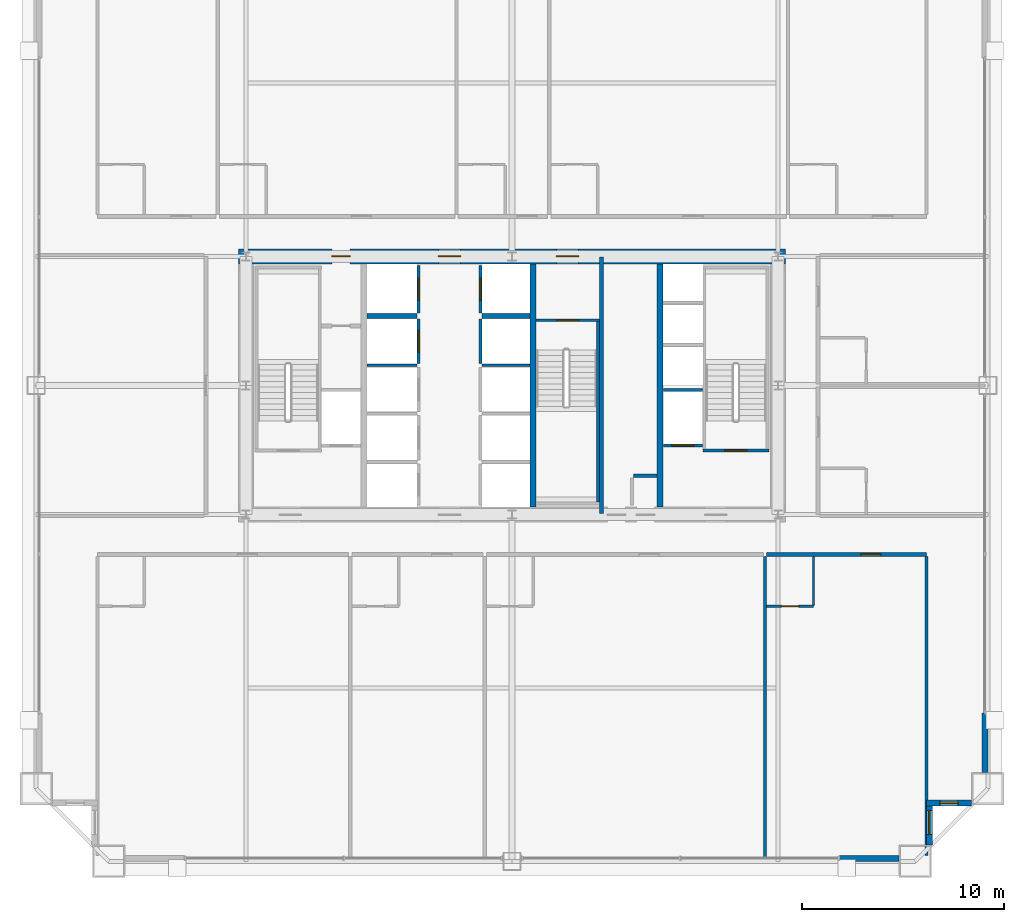
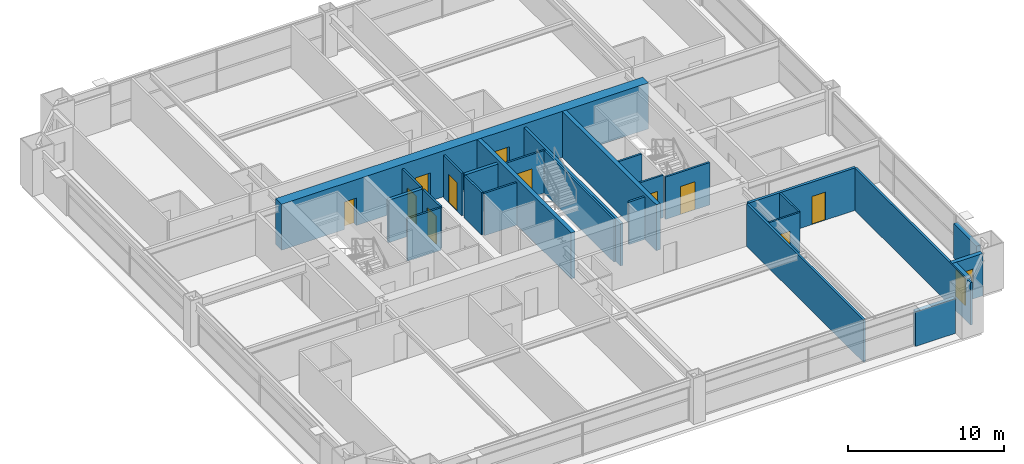
# One storey, part 35 of 38: 27 walls, 11 doors, 2 windows, 13 openings.
"""IFC4 building model written with IfcOpenShell, lengths in metres."""

from ifc_helpers import new_model, si_unit, direction, frame, frame_2d, origin, place, context, subcontext, project, spatial, rectangle, extrude, source, transform, mapped, material, layer, layer_set, type_object, element, fill, save


model = new_model("IFC4")

# Units and contexts
model_context = context("Model", 3, precision=1e-05, world=origin(), true_north=direction((0.0, 1.0)))
body_context = subcontext(model_context, "Body", "Model", "MODEL_VIEW")
ifc_project = project(units=[si_unit("LENGTHUNIT", "METRE"), si_unit("AREAUNIT", "SQUARE_METRE"), si_unit("VOLUMEUNIT", "CUBIC_METRE"), si_unit("PLANEANGLEUNIT", "RADIAN"), si_unit("MASSUNIT", "GRAM", prefix="KILO"), si_unit("THERMODYNAMICTEMPERATUREUNIT", "KELVIN"), si_unit("POWERUNIT", "WATT")], contexts=[model_context])

# Site, building, storey
site_placement = place(None, origin())
site = spatial("IfcSite", under=ifc_project, at=site_placement, CompositionType="ELEMENT")
building_placement = place(site_placement, origin())
building = spatial("IfcBuilding", under=site, at=building_placement, Name="Yuzanri Waterfront Tower", CompositionType="ELEMENT")
storey_placement = place(building_placement, frame((0.0, 0.0, 126.199951171875)))
storey = spatial("IfcBuildingStorey", under=building, at=storey_placement, Name="L33", CompositionType="ELEMENT", Elevation=126.199951171875)

# Wall, opening, door
ifc_material_1 = material(Name="Moisture-Resistant Gypsum Stud Wall", Category="gypsum")
ifc_layer_1 = layer(ifc_material_1, 0.1201171875)
ifc_layer_set_1 = layer_set([ifc_layer_1], Name="Moisture-Resistant Gypsum Stud Wall")
wall_type_1 = type_object("IfcWallType", Name="Bathroom and Kitchen Wet Partition 120", PredefinedType="PARTITIONING", material=ifc_layer_set_1)
wall_1_placement = place(storey_placement, frame((49.6220703125, 14.840087890625, 0.0), z_axis=(0.0, 0.0, 1.0), x_axis=(1.0, 0.0, 0.0)))
wall_1 = element("IfcWall", 1, at=wall_1_placement, inside=storey, type_object=wall_type_1, Name="L33 Partition UW-L33-S4-BS", PredefinedType="PARTITIONING", context=body_context, shape_type="SweptSolid", body=[
    extrude(rectangle(XDim=2.329833984375, YDim=0.1201171875, at=frame_2d((1.1650390625, 0.0))), origin(), (0.0, 0.0, 1.0), 3.320068359375),
])
opening_1_placement = place(wall_1_placement, frame((0.739990234375, 0.0, 0.0)))
opening_1 = element("IfcOpeningElement", 2, at=opening_1_placement, cuts=wall_1, Name="Opening ID-0850", PredefinedType="OPENING", context=body_context, shape_type="SweptSolid", body=[
    extrude(rectangle(XDim=0.85009765625, YDim=2.10009765625, at=frame_2d((0.425048828125, 1.050048828125))), frame((0.0, 0.074951171875, 0.0), z_axis=(0.0, -1.0, 0.0), x_axis=(1.0, 0.0, 0.0)), (0.0, 0.0, 1.0), 0.14990234375),
])
ifc_material_2 = material(Name="Moisture-Resistant Lacquered Timber", Category="wood")
door_type_1 = type_object("IfcDoorType", Name="En-Suite Bathroom and Kitchen Swing Door 850x2100", OperationType="NOTDEFINED", PredefinedType="DOOR", material=ifc_material_2)
shared_shape_1 = source(origin(), body_context, "Body", "SweptSolid", [
    extrude(rectangle(XDim=0.85009765625, YDim=2.10009765625, at=frame_2d((0.425048828125, 1.050048828125))), frame((0.0, 0.02490234375, 0.0), z_axis=(0.0, -1.0, 0.0), x_axis=(1.0, 0.0, 0.0)), (0.0, 0.0, 1.0), 0.050048828125),
])
door_1_placement = place(opening_1_placement, origin())
door_1 = element("IfcDoor", 3, at=door_1_placement, inside=storey, type_object=door_type_1, Name="L33 Guest En-Suite Door", OperationType="SINGLE_SWING_LEFT", OverallHeight=2.10009765625, OverallWidth=0.85009765625, PredefinedType="DOOR", context=body_context, shape_type="MappedRepresentation", body=[
    mapped(shared_shape_1, transform((0.0, 0.0, 0.0), scale=1.0)),
])
fill(opening_1, door_1)

# Wall, opening, window
ifc_material_3 = material(Name="Honed Chongqing Dark Basalt Stone", Category="masonry")
ifc_layer_2 = layer(ifc_material_3, 0.300048828125)
ifc_layer_set_2 = layer_set([ifc_layer_2], Name="Honed Chongqing Dark Basalt Stone")
wall_type_2 = type_object("IfcWallType", Name="Bronze Rainscreen Insulated Spandrel Portal Wall 300", PredefinedType="SOLIDWALL", material=ifc_layer_set_2)
wall_2_placement = place(storey_placement, frame((57.550048828125, 5.10009765625, 0.0), z_axis=(0.0, 0.0, 1.0), x_axis=(1.0, 0.0, 0.0)))
wall_2 = element("IfcWall", 4, at=wall_2_placement, inside=storey, type_object=wall_type_2, Name="L33 Notched Corner Masonry Wall SE-X", PredefinedType="SOLIDWALL", context=body_context, shape_type="SweptSolid", body=[
    extrude(rectangle(XDim=2.25, YDim=0.300048828125, at=frame_2d((1.125, 0.0))), origin(), (0.0, 0.0, 1.0), 3.320068359375),
])
opening_2_placement = place(wall_2_placement, frame((0.675048828125, 0.0, 0.85009765625)))
opening_2 = element("IfcOpeningElement", 5, at=opening_2_placement, cuts=wall_2, Name="Opening WN-05", PredefinedType="OPENING", context=body_context, shape_type="SweptSolid", body=[
    extrude(rectangle(XDim=0.89990234375, YDim=1.5, at=frame_2d((0.449951171875, 0.75))), frame((0.0, 0.1650390625, 0.0), z_axis=(0.0, -1.0, 0.0), x_axis=(1.0, 0.0, 0.0)), (0.0, 0.0, 1.0), 0.329833984375),
])
ifc_material_4 = material(Name="Double-Silver Low-E Insulated Glass", Category="glass")
window_type_1 = type_object("IfcWindowType", Name="Anodized Bronze Service and Stairwell Smoke-Vent Window 900x1500", PartitioningType="SINGLE_PANEL", PredefinedType="WINDOW", material=ifc_material_4)
shared_shape_2 = source(origin(), body_context, "Body", "SweptSolid", [
    extrude(rectangle(XDim=0.89990234375, YDim=1.5, at=frame_2d((0.449951171875, 0.75))), frame((0.0, 0.030029296875, 0.0), z_axis=(0.0, -1.0, 0.0), x_axis=(1.0, 0.0, 0.0)), (0.0, 0.0, 1.0), 0.06005859375),
])
window_1_placement = place(opening_2_placement, origin())
window_1 = element("IfcWindow", 6, at=window_1_placement, inside=storey, type_object=window_type_1, Name="L33 Notched Corner Window SE-X", OverallHeight=1.5, OverallWidth=0.89990234375, PartitioningType="SINGLE_PANEL", PredefinedType="WINDOW", context=body_context, shape_type="MappedRepresentation", body=[
    mapped(shared_shape_2, transform((0.0, 0.0, 0.0), scale=1.0)),
])
fill(opening_2, window_1)

wall_3_placement = place(storey_placement, frame((57.699951171875, 3.0, 0.0), z_axis=(0.0, 0.0, 1.0), x_axis=(0.0, 1.0, 0.0)))
wall_3 = element("IfcWall", 7, at=wall_3_placement, inside=storey, type_object=wall_type_2, Name="L33 Notched Corner Masonry Wall SE-Y", PredefinedType="SOLIDWALL", context=body_context, shape_type="SweptSolid", body=[
    extrude(rectangle(XDim=2.25, YDim=0.300048828125, at=frame_2d((1.125, 0.0))), origin(), (0.0, 0.0, 1.0), 3.320068359375),
])
opening_3_placement = place(wall_3_placement, frame((0.52490234375, 0.0, 0.85009765625)))
opening_3 = element("IfcOpeningElement", 8, at=opening_3_placement, cuts=wall_3, Name="Opening WN-02", PredefinedType="OPENING", context=body_context, shape_type="SweptSolid", body=[
    extrude(rectangle(XDim=1.199951171875, YDim=2.10009765625, at=frame_2d((0.60009765625, 1.050048828125))), frame((0.0, 0.1650390625, 0.0), z_axis=(0.0, -1.0, 0.0), x_axis=(1.0, 0.0, 0.0)), (0.0, 0.0, 1.0), 0.329833984375),
])
ifc_material_5 = material(Name="Double-Silver Low-E Insulated Glass", Category="glass")
window_type_2 = type_object("IfcWindowType", Name="Anodized Bronze Notched Corner Deep-Set Slot Window 1200x2100", PartitioningType="SINGLE_PANEL", PredefinedType="WINDOW", material=ifc_material_5)
shared_shape_3 = source(origin(), body_context, "Body", "SweptSolid", [
    extrude(rectangle(XDim=1.199951171875, YDim=2.10009765625, at=frame_2d((0.60009765625, 1.050048828125))), frame((0.0, 0.030029296875, 0.0), z_axis=(0.0, -1.0, 0.0), x_axis=(1.0, 0.0, 0.0)), (0.0, 0.0, 1.0), 0.06005859375),
])
window_2_placement = place(opening_3_placement, origin())
window_2 = element("IfcWindow", 9, at=window_2_placement, inside=storey, type_object=window_type_2, Name="L33 Notched Corner Window SE-Y", OverallHeight=2.10009765625, OverallWidth=1.199951171875, PartitioningType="SINGLE_PANEL", PredefinedType="WINDOW", context=body_context, shape_type="MappedRepresentation", body=[
    mapped(shared_shape_3, transform((0.0, 0.0, 0.0), scale=1.0)),
])
fill(opening_3, window_2)

# Wall, openings, doors
ifc_material_6 = material(Name="Concrete C55", Category="concrete")
ifc_layer_3 = layer(ifc_material_6, 0.75)
ifc_layer_set_3 = layer_set([ifc_layer_3], Name="Concrete C55")
wall_type_3 = type_object("IfcWallType", Name="Concrete C55 Low-Mid Zone Core Shear Wall 750", PredefinedType="SHEAR", material=ifc_layer_set_3)
wall_4_placement = place(storey_placement, frame((23.425048828125, 32.199951171875, 0.0), z_axis=(0.0, 0.0, 1.0), x_axis=(1.0, 0.0, 0.0)))
wall_4 = element("IfcWall", 10, at=wall_4_placement, inside=storey, type_object=wall_type_3, Name="L33 Core North Shear Wall", PredefinedType="SHEAR", context=body_context, shape_type="SweptSolid", body=[
    extrude(rectangle(XDim=27.14990234375, YDim=0.75, at=frame_2d((13.574951171875, 0.0))), origin(), (0.0, 0.0, 1.0), 3.60009765625),
])
opening_4_placement = place(wall_4_placement, frame((4.64501953125, 0.0, 0.0)))
opening_4 = element("IfcOpeningElement", 11, at=opening_4_placement, cuts=wall_4, Name="Opening FD-0900", PredefinedType="OPENING", context=body_context, shape_type="SweptSolid", body=[
    extrude(rectangle(XDim=0.89990234375, YDim=2.14990234375, at=frame_2d((0.449951171875, 1.074951171875))), frame((0.0, 0.389892578125, 0.0), z_axis=(0.0, -1.0, 0.0), x_axis=(1.0, 0.0, 0.0)), (0.0, 0.0, 1.0), 0.77978515625),
])
opening_5_placement = place(wall_4_placement, frame((9.925048828125, 0.0, 0.0)))
opening_5 = element("IfcOpeningElement", 12, at=opening_5_placement, cuts=wall_4, Name="Opening FD-1100", PredefinedType="OPENING", context=body_context, shape_type="SweptSolid", body=[
    extrude(rectangle(XDim=1.10009765625, YDim=2.199951171875, at=frame_2d((0.550048828125, 1.10009765625))), frame((0.0, 0.389892578125, 0.0), z_axis=(0.0, -1.0, 0.0), x_axis=(1.0, 0.0, 0.0)), (0.0, 0.0, 1.0), 0.77978515625),
])
opening_6_placement = place(wall_4_placement, frame((15.77490234375, 0.0, 0.0)))
opening_6 = element("IfcOpeningElement", 13, at=opening_6_placement, cuts=wall_4, Name="Opening FD-1100", PredefinedType="OPENING", context=body_context, shape_type="SweptSolid", body=[
    extrude(rectangle(XDim=1.10009765625, YDim=2.199951171875, at=frame_2d((0.550048828125, 1.10009765625))), frame((0.0, 0.389892578125, 0.0), z_axis=(0.0, -1.0, 0.0), x_axis=(1.0, 0.0, 0.0)), (0.0, 0.0, 1.0), 0.77978515625),
])
ifc_material_7 = material(Name="Painted Galvanized Fire Steel", Category="steel")
door_type_2 = type_object("IfcDoorType", Name="Smoke-Proof Stair and Lobby Fire Door 1100x2200", OperationType="NOTDEFINED", PredefinedType="DOOR", material=ifc_material_7)
shared_shape_4 = source(origin(), body_context, "Body", "SweptSolid", [
    extrude(rectangle(XDim=1.10009765625, YDim=2.199951171875, at=frame_2d((0.550048828125, 1.10009765625))), frame((0.0, 0.02490234375, 0.0), z_axis=(0.0, -1.0, 0.0), x_axis=(1.0, 0.0, 0.0)), (0.0, 0.0, 1.0), 0.050048828125),
])
door_2_placement = place(opening_5_placement, origin())
door_2 = element("IfcDoor", 14, at=door_2_placement, inside=storey, type_object=door_type_2, Name="L33 Central Lift Lobby North Door", OperationType="SINGLE_SWING_LEFT", OverallHeight=2.199951171875, OverallWidth=1.10009765625, PredefinedType="DOOR", context=body_context, shape_type="MappedRepresentation", body=[
    mapped(shared_shape_4, transform((0.0, 0.0, 0.0), scale=1.0)),
])
fill(opening_5, door_2)
door_3_placement = place(opening_6_placement, origin())
door_3 = element("IfcDoor", 15, at=door_3_placement, inside=storey, type_object=door_type_2, Name="L33 North Stair Lobby Door", OperationType="SINGLE_SWING_RIGHT", OverallHeight=2.199951171875, OverallWidth=1.10009765625, PredefinedType="DOOR", context=body_context, shape_type="MappedRepresentation", body=[
    mapped(shared_shape_4, transform((0.0, 0.0, 0.0), scale=1.0)),
])
fill(opening_6, door_3)
ifc_material_8 = material(Name="Painted Galvanized Fire Steel", Category="steel")
door_type_3 = type_object("IfcDoorType", Name="Riser and Service Room Fire Door 900x2150", OperationType="NOTDEFINED", PredefinedType="DOOR", material=ifc_material_8)
shared_shape_5 = source(origin(), body_context, "Body", "SweptSolid", [
    extrude(rectangle(XDim=0.89990234375, YDim=2.14990234375, at=frame_2d((0.449951171875, 1.074951171875))), frame((0.0, 0.02490234375, 0.0), z_axis=(0.0, -1.0, 0.0), x_axis=(1.0, 0.0, 0.0)), (0.0, 0.0, 1.0), 0.050048828125),
])
door_4_placement = place(opening_4_placement, origin())
door_4 = element("IfcDoor", 16, at=door_4_placement, inside=storey, type_object=door_type_3, Name="L33 Telecom Riser Door", OperationType="SINGLE_SWING_RIGHT", OverallHeight=2.14990234375, OverallWidth=0.89990234375, PredefinedType="DOOR", context=body_context, shape_type="MappedRepresentation", body=[
    mapped(shared_shape_5, transform((0.0, 0.0, 0.0), scale=1.0)),
])
fill(opening_4, door_4)

# Wall, opening, door
ifc_material_9 = material(Name="Concrete C40", Category="concrete")
ifc_layer_4 = layer(ifc_material_9, 0.139892578125)
ifc_layer_set_4 = layer_set([ifc_layer_4], Name="Concrete C40")
wall_type_4 = type_object("IfcWallType", Name="Core Stair Liner and Hoistway Shaft Wall 140", PredefinedType="SOLIDWALL", material=ifc_layer_set_4)
wall_5_placement = place(storey_placement, frame((44.52001953125, 22.830078125, 0.0), z_axis=(0.0, 0.0, 1.0), x_axis=(1.0, 0.0, 0.0)))
wall_5 = element("IfcWall", 17, at=wall_5_placement, inside=storey, type_object=wall_type_4, Name="L33 Lift FL-02 Front Shaft Wall", PredefinedType="SOLIDWALL", context=body_context, shape_type="SweptSolid", body=[
    extrude(rectangle(XDim=1.919921875, YDim=0.139892578125, at=frame_2d((0.9599609375, 0.0))), origin(), (0.0, 0.0, 1.0), 3.320068359375),
])
opening_7_placement = place(wall_5_placement, frame((0.409912109375, 0.0, 0.0)))
opening_7 = element("IfcOpeningElement", 18, at=opening_7_placement, cuts=wall_5, Name="Opening LD-FL-02", PredefinedType="OPENING", context=body_context, shape_type="SweptSolid", body=[
    extrude(rectangle(XDim=1.10009765625, YDim=2.199951171875, at=frame_2d((0.550048828125, 1.10009765625))), frame((0.0, 0.0849609375, 0.0), z_axis=(0.0, -1.0, 0.0), x_axis=(1.0, 0.0, 0.0)), (0.0, 0.0, 1.0), 0.169677734375),
])
ifc_material_10 = material(Name="Brushed Bronze and Stainless Steel Cab", Category="steel")
door_type_4 = type_object("IfcDoorType", Name="Center-Parting Bronze Lift Landing Sliding Door 1100x2200", OperationType="NOTDEFINED", PredefinedType="DOOR", material=ifc_material_10)
shared_shape_6 = source(origin(), body_context, "Body", "SweptSolid", [
    extrude(rectangle(XDim=1.10009765625, YDim=2.199951171875, at=frame_2d((0.550048828125, 1.10009765625))), frame((0.0, 0.02490234375, 0.0), z_axis=(0.0, -1.0, 0.0), x_axis=(1.0, 0.0, 0.0)), (0.0, 0.0, 1.0), 0.050048828125),
])
door_5_placement = place(opening_7_placement, origin())
door_5 = element("IfcDoor", 19, at=door_5_placement, inside=storey, type_object=door_type_4, Name="L33 FL-02 Lift Landing Sliding Door", OperationType="SLIDING_TO_RIGHT", OverallHeight=2.199951171875, OverallWidth=1.10009765625, PredefinedType="DOOR", context=body_context, shape_type="MappedRepresentation", body=[
    mapped(shared_shape_6, transform((0.0, 0.0, 0.0), scale=1.0)),
])
fill(opening_7, door_5)

wall_6_placement = place(storey_placement, frame((32.3701171875, 26.89990234375, 0.0), z_axis=(0.0, 0.0, 1.0), x_axis=(0.0, 1.0, 0.0)))
wall_6 = element("IfcWall", 20, at=wall_6_placement, inside=storey, type_object=wall_type_4, Name="L33 Lift PL-04 Front Shaft Wall", PredefinedType="SOLIDWALL", context=body_context, shape_type="SweptSolid", body=[
    extrude(rectangle(XDim=2.2001953125, YDim=0.139892578125, at=frame_2d((1.10009765625, 0.0))), origin(), (0.0, 0.0, 1.0), 3.320068359375),
])
opening_8_placement = place(wall_6_placement, frame((0.550048828125, 0.0, 0.0)))
opening_8 = element("IfcOpeningElement", 21, at=opening_8_placement, cuts=wall_6, Name="Opening LD-PL-04", PredefinedType="OPENING", context=body_context, shape_type="SweptSolid", body=[
    extrude(rectangle(XDim=1.10009765625, YDim=2.199951171875, at=frame_2d((0.550048828125, 1.10009765625))), frame((0.0, 0.0849609375, 0.0), z_axis=(0.0, -1.0, 0.0), x_axis=(1.0, 0.0, 0.0)), (0.0, 0.0, 1.0), 0.169677734375),
])
door_6_placement = place(opening_8_placement, origin())
door_6 = element("IfcDoor", 22, at=door_6_placement, inside=storey, type_object=door_type_4, Name="L33 PL-04 Lift Landing Sliding Door", OperationType="SLIDING_TO_RIGHT", OverallHeight=2.199951171875, OverallWidth=1.10009765625, PredefinedType="DOOR", context=body_context, shape_type="MappedRepresentation", body=[
    mapped(shared_shape_6, transform((0.0, 0.0, 0.0), scale=1.0)),
])
fill(opening_8, door_6)

wall_7_placement = place(storey_placement, frame((32.3701171875, 29.39990234375, 0.0), z_axis=(0.0, 0.0, 1.0), x_axis=(0.0, 1.0, 0.0)))
wall_7 = element("IfcWall", 23, at=wall_7_placement, inside=storey, type_object=wall_type_4, Name="L33 Lift SL-01 Front Shaft Wall", PredefinedType="SOLIDWALL", context=body_context, shape_type="SweptSolid", body=[
    extrude(rectangle(XDim=2.340087890625, YDim=0.139892578125, at=frame_2d((1.169921875, 0.0))), origin(), (0.0, 0.0, 1.0), 3.320068359375),
])
opening_9_placement = place(wall_7_placement, frame((0.6201171875, 0.0, 0.0)))
opening_9 = element("IfcOpeningElement", 24, at=opening_9_placement, cuts=wall_7, Name="Opening LD-SL-01", PredefinedType="OPENING", context=body_context, shape_type="SweptSolid", body=[
    extrude(rectangle(XDim=1.10009765625, YDim=2.199951171875, at=frame_2d((0.550048828125, 1.10009765625))), frame((0.0, 0.0849609375, 0.0), z_axis=(0.0, -1.0, 0.0), x_axis=(1.0, 0.0, 0.0)), (0.0, 0.0, 1.0), 0.169677734375),
])
door_7_placement = place(opening_9_placement, origin())
door_7 = element("IfcDoor", 25, at=door_7_placement, inside=storey, type_object=door_type_4, Name="L33 SL-01 Lift Landing Sliding Door", OperationType="SLIDING_TO_LEFT", OverallHeight=2.199951171875, OverallWidth=1.10009765625, PredefinedType="DOOR", context=body_context, shape_type="MappedRepresentation", body=[
    mapped(shared_shape_6, transform((0.0, 0.0, 0.0), scale=1.0)),
])
fill(opening_9, door_7)

wall_8_placement = place(storey_placement, frame((35.429931640625, 29.39990234375, 0.0), z_axis=(0.0, 0.0, 1.0), x_axis=(0.0, 1.0, 0.0)))
wall_8 = element("IfcWall", 26, at=wall_8_placement, inside=storey, type_object=wall_type_4, Name="L33 Lift SL-02 Front Shaft Wall", PredefinedType="SOLIDWALL", context=body_context, shape_type="SweptSolid", body=[
    extrude(rectangle(XDim=2.340087890625, YDim=0.139892578125, at=frame_2d((1.169921875, 0.0))), origin(), (0.0, 0.0, 1.0), 3.320068359375),
])
opening_10_placement = place(wall_8_placement, frame((0.6201171875, 0.0, 0.0)))
opening_10 = element("IfcOpeningElement", 27, at=opening_10_placement, cuts=wall_8, Name="Opening LD-SL-02", PredefinedType="OPENING", context=body_context, shape_type="SweptSolid", body=[
    extrude(rectangle(XDim=1.10009765625, YDim=2.199951171875, at=frame_2d((0.550048828125, 1.10009765625))), frame((0.0, 0.0849609375, 0.0), z_axis=(0.0, -1.0, 0.0), x_axis=(1.0, 0.0, 0.0)), (0.0, 0.0, 1.0), 0.169677734375),
])
door_8_placement = place(opening_10_placement, origin())
door_8 = element("IfcDoor", 28, at=door_8_placement, inside=storey, type_object=door_type_4, Name="L33 SL-02 Lift Landing Sliding Door", OperationType="SLIDING_TO_RIGHT", OverallHeight=2.199951171875, OverallWidth=1.10009765625, PredefinedType="DOOR", context=body_context, shape_type="MappedRepresentation", body=[
    mapped(shared_shape_6, transform((0.0, 0.0, 0.0), scale=1.0)),
])
fill(opening_10, door_8)

wall_9_placement = place(storey_placement, frame((46.4599609375, 22.570068359375, 0.0), z_axis=(0.0, 0.0, 1.0), x_axis=(1.0, 0.0, 0.0)))
wall_9 = element("IfcWall", 29, at=wall_9_placement, inside=storey, type_object=wall_type_4, Name="L33 Shaft Wall STW-L33-ST-02-S", PredefinedType="SOLIDWALL", context=body_context, shape_type="SweptSolid", body=[
    extrude(rectangle(XDim=3.280029296875, YDim=0.139892578125, at=frame_2d((1.64013671875, 0.0))), origin(), (0.0, 0.0, 1.0), 3.320068359375),
])
opening_11_placement = place(wall_9_placement, frame((1.090087890625, 0.0, 0.0)))
opening_11 = element("IfcOpeningElement", 30, at=opening_11_placement, cuts=wall_9, Name="Opening FD-1100", PredefinedType="OPENING", context=body_context, shape_type="SweptSolid", body=[
    extrude(rectangle(XDim=1.10009765625, YDim=2.199951171875, at=frame_2d((0.550048828125, 1.10009765625))), frame((0.0, 0.0849609375, 0.0), z_axis=(0.0, -1.0, 0.0), x_axis=(1.0, 0.0, 0.0)), (0.0, 0.0, 1.0), 0.169677734375),
])
door_9_placement = place(opening_11_placement, origin())
door_9 = element("IfcDoor", 31, at=door_9_placement, inside=storey, type_object=door_type_2, Name="L33 Stair ST-02 Fire Door", OperationType="SINGLE_SWING_LEFT", OverallHeight=2.199951171875, OverallWidth=1.10009765625, PredefinedType="DOOR", context=body_context, shape_type="MappedRepresentation", body=[
    mapped(shared_shape_4, transform((0.0, 0.0, 0.0), scale=1.0)),
])
fill(opening_11, door_9)

wall_10_placement = place(storey_placement, frame((38.199951171875, 29.030029296875, 0.0), z_axis=(0.0, 0.0, 1.0), x_axis=(1.0, 0.0, 0.0)))
wall_10 = element("IfcWall", 32, at=wall_10_placement, inside=storey, type_object=wall_type_4, Name="L33 Shaft Wall STW-L33-ST-03-N", PredefinedType="SOLIDWALL", context=body_context, shape_type="SweptSolid", body=[
    extrude(rectangle(XDim=3.14013671875, YDim=0.139892578125, at=frame_2d((1.570068359375, 0.0))), origin(), (0.0, 0.0, 1.0), 3.320068359375),
])
opening_12_placement = place(wall_10_placement, frame((1.02001953125, 0.0, 0.0)))
opening_12 = element("IfcOpeningElement", 33, at=opening_12_placement, cuts=wall_10, Name="Opening FD-1100", PredefinedType="OPENING", context=body_context, shape_type="SweptSolid", body=[
    extrude(rectangle(XDim=1.10009765625, YDim=2.199951171875, at=frame_2d((0.550048828125, 1.10009765625))), frame((0.0, 0.0849609375, 0.0), z_axis=(0.0, -1.0, 0.0), x_axis=(1.0, 0.0, 0.0)), (0.0, 0.0, 1.0), 0.169677734375),
])
door_10_placement = place(opening_12_placement, origin())
door_10 = element("IfcDoor", 34, at=door_10_placement, inside=storey, type_object=door_type_2, Name="L33 Stair ST-03 Fire Door", OperationType="SINGLE_SWING_RIGHT", OverallHeight=2.199951171875, OverallWidth=1.10009765625, PredefinedType="DOOR", context=body_context, shape_type="MappedRepresentation", body=[
    mapped(shared_shape_4, transform((0.0, 0.0, 0.0), scale=1.0)),
])
fill(opening_12, door_10)

ifc_material_11 = material(Name="Autoclaved Aerated Concrete Blockwork", Category="masonry")
ifc_layer_5 = layer(ifc_material_11, 0.199951171875)
ifc_layer_set_5 = layer_set([ifc_layer_5], Name="Autoclaved Aerated Concrete Blockwork")
wall_type_5 = type_object("IfcWallType", Name="Corridor and Unit Party Fire Wall 200", PredefinedType="PARTITIONING", material=ifc_layer_set_5)
wall_11_placement = place(storey_placement, frame((49.6220703125, 17.419921875, 0.0), z_axis=(0.0, 0.0, 1.0), x_axis=(1.0, 0.0, 0.0)))
wall_11 = element("IfcWall", 35, at=wall_11_placement, inside=storey, type_object=wall_type_5, Name="L33 Partition UW-L33-S4-CN", PredefinedType="PARTITIONING", context=body_context, shape_type="SweptSolid", body=[
    extrude(rectangle(XDim=7.93798828125, YDim=0.199951171875, at=frame_2d((3.968994140625, 0.0))), origin(), (0.0, 0.0, 1.0), 3.320068359375),
])
opening_13_placement = place(wall_11_placement, frame((4.674072265625, 0.0, 0.0)))
opening_13 = element("IfcOpeningElement", 36, at=opening_13_placement, cuts=wall_11, Name="Opening FD-1000", PredefinedType="OPENING", context=body_context, shape_type="SweptSolid", body=[
    extrude(rectangle(XDim=1.0, YDim=2.199951171875, at=frame_2d((0.5, 1.10009765625))), frame((0.0, 0.11474609375, 0.0), z_axis=(0.0, -1.0, 0.0), x_axis=(1.0, 0.0, 0.0)), (0.0, 0.0, 1.0), 0.229736328125),
])
ifc_material_12 = material(Name="Engineered Oak Fire-Rated Timber", Category="wood")
door_type_5 = type_object("IfcDoorType", Name="Guestroom and Apartment Entrance Fire Door 1000x2200", OperationType="NOTDEFINED", PredefinedType="DOOR", material=ifc_material_12)
shared_shape_7 = source(origin(), body_context, "Body", "SweptSolid", [
    extrude(rectangle(XDim=1.0, YDim=2.199951171875, at=frame_2d((0.5, 1.10009765625))), frame((0.0, 0.02490234375, 0.0), z_axis=(0.0, -1.0, 0.0), x_axis=(1.0, 0.0, 0.0)), (0.0, 0.0, 1.0), 0.050048828125),
])
door_11_placement = place(opening_13_placement, origin())
door_11 = element("IfcDoor", 37, at=door_11_placement, inside=storey, type_object=door_type_5, Name="L33 Presidential Riverfront Suite Entrance Door", OperationType="SINGLE_SWING_RIGHT", OverallHeight=2.199951171875, OverallWidth=1.0, PredefinedType="DOOR", context=body_context, shape_type="MappedRepresentation", body=[
    mapped(shared_shape_7, transform((0.0, 0.0, 0.0), scale=1.0)),
])
fill(opening_13, door_11)

# Walls
ifc_material_13 = material(Name="Concrete C50", Category="concrete")
ifc_layer_6 = layer(ifc_material_13, 0.300048828125)
ifc_layer_set_6 = layer_set([ifc_layer_6], Name="Concrete C50")
wall_type_6 = type_object("IfcWallType", Name="Concrete C50 Internal Core Shaft Structural Wall 300", PredefinedType="SOLIDWALL", material=ifc_layer_set_6)
shared_shape_8 = source(origin(), body_context, "Body", "SweptSolid", [
    extrude(rectangle(XDim=12.050048828125, YDim=0.300048828125, at=frame_2d((6.02490234375, 0.0))), origin(), (0.0, 0.0, 1.0), 3.60009765625),
])
for number, where, z_axis, x_axis, name in (
    (38, (38.050048828125, 19.77490234375, 0.0), (0.0, 0.0, 1.0), (0.0, 1.0, 0.0), "L33 Core Internal Structural Web Wall 2"),
    (39, (44.35009765625, 19.77490234375, 0.0), (0.0, 0.0, 1.0), (0.0, 1.0, 0.0), "L33 Core Internal Structural Web Wall 3"),
):
    element("IfcWall", number, at=place(storey_placement, frame(where, z_axis=z_axis, x_axis=x_axis)), inside=storey, type_object=wall_type_6, Name=name, PredefinedType="SOLIDWALL", context=body_context, shape_type="MappedRepresentation", body=[
        mapped(shared_shape_8, transform((0.0, 0.0, 0.0), scale=1.0)),
    ])
shared_shape_9 = source(origin(), body_context, "Body", "SweptSolid", [
    extrude(rectangle(XDim=2.949951171875, YDim=0.300048828125, at=frame_2d((1.47509765625, 0.0))), origin(), (0.0, 0.0, 1.0), 2.715087890625),
])
for number, where, z_axis, x_axis, name in (
    (40, (53.25, 2.35009765625, 0.0), (0.0, 0.0, 1.0), (1.0, 0.0, 0.0), "L33 S Right Braced Masonry Shoulder"),
    (41, (60.449951171875, 6.60009765625, 0.0), (0.0, 0.0, 1.0), (0.0, 1.0, 0.0), "L33 E Left Braced Masonry Shoulder"),
):
    element("IfcWall", number, at=place(storey_placement, frame(where, z_axis=z_axis, x_axis=x_axis)), inside=storey, type_object=wall_type_2, Name=name, PredefinedType="SOLIDWALL", context=body_context, shape_type="MappedRepresentation", body=[
        mapped(shared_shape_9, transform((0.0, 0.0, 0.0), scale=1.0)),
    ])
shared_shape_10 = source(origin(), body_context, "Body", "SweptSolid", [
    extrude(rectangle(XDim=1.919921875, YDim=0.139892578125, at=frame_2d((0.9599609375, 0.0))), origin(), (0.0, 0.0, 1.0), 3.320068359375),
])
wall_12_placement = place(storey_placement, frame((44.52001953125, 25.570068359375, 0.0), z_axis=(0.0, 0.0, 1.0), x_axis=(1.0, 0.0, 0.0)))
element("IfcWall", 42, at=wall_12_placement, inside=storey, type_object=wall_type_4, Name="L33 Lift FL-02 Back Shaft Wall", PredefinedType="SOLIDWALL", context=body_context, shape_type="MappedRepresentation", body=[
    mapped(shared_shape_10, transform((0.0, 0.0, 0.0), scale=1.0)),
])
shared_shape_11 = source(origin(), body_context, "Body", "SweptSolid", [
    extrude(rectangle(XDim=2.5, YDim=0.139892578125, at=frame_2d((1.25, 0.0))), origin(), (0.0, 0.0, 1.0), 3.320068359375),
])
wall_13_placement = place(storey_placement, frame((29.800048828125, 26.800048828125, 0.0), z_axis=(0.0, 0.0, 1.0), x_axis=(1.0, 0.0, 0.0)))
element("IfcWall", 43, at=wall_13_placement, inside=storey, type_object=wall_type_4, Name="L33 Lift PL-03 Divider Wall", PredefinedType="SOLIDWALL", context=body_context, shape_type="MappedRepresentation", body=[
    mapped(shared_shape_11, transform((0.0, 0.0, 0.0), scale=1.0)),
])
ifc_material_14 = material(Name="Concrete C40", Category="concrete")
ifc_layer_7 = layer(ifc_material_14, 0.25)
ifc_layer_set_7 = layer_set([ifc_layer_7], Name="Concrete C40")
wall_type_7 = type_object("IfcWallType", Name="Smoke-Proof Stair and Lift Shaft Wall 250", PredefinedType="SOLIDWALL", material=ifc_layer_set_7)
shared_shape_12 = source(origin(), body_context, "Body", "SweptSolid", [
    extrude(rectangle(XDim=2.5, YDim=0.25, at=frame_2d((1.25, 0.0))), origin(), (0.0, 0.0, 1.0), 3.320068359375),
])
wall_14_placement = place(storey_placement, frame((29.800048828125, 29.25, 0.0), z_axis=(0.0, 0.0, 1.0), x_axis=(1.0, 0.0, 0.0)))
element("IfcWall", 44, at=wall_14_placement, inside=storey, type_object=wall_type_7, Name="L33 Lift SL-01 South Shaft Wall", PredefinedType="SOLIDWALL", context=body_context, shape_type="MappedRepresentation", body=[
    mapped(shared_shape_12, transform((0.0, 0.0, 0.0), scale=1.0)),
])
shared_shape_13 = source(origin(), body_context, "Body", "SweptSolid", [
    extrude(rectangle(XDim=2.39990234375, YDim=0.139892578125, at=frame_2d((1.199951171875, 0.0))), origin(), (0.0, 0.0, 1.0), 3.320068359375),
])
wall_15_placement = place(storey_placement, frame((35.5, 26.800048828125, 0.0), z_axis=(0.0, 0.0, 1.0), x_axis=(1.0, 0.0, 0.0)))
element("IfcWall", 45, at=wall_15_placement, inside=storey, type_object=wall_type_4, Name="L33 Lift PL-07 Divider Wall", PredefinedType="SOLIDWALL", context=body_context, shape_type="MappedRepresentation", body=[
    mapped(shared_shape_13, transform((0.0, 0.0, 0.0), scale=1.0)),
])
shared_shape_14 = source(origin(), body_context, "Body", "SweptSolid", [
    extrude(rectangle(XDim=2.2001953125, YDim=0.139892578125, at=frame_2d((1.10009765625, 0.0))), origin(), (0.0, 0.0, 1.0), 3.320068359375),
])
wall_16_placement = place(storey_placement, frame((35.429931640625, 26.89990234375, 0.0), z_axis=(0.0, 0.0, 1.0), x_axis=(0.0, 1.0, 0.0)))
element("IfcWall", 46, at=wall_16_placement, inside=storey, type_object=wall_type_4, Name="L33 Lift PL-08 Front Shaft Wall", PredefinedType="SOLIDWALL", context=body_context, shape_type="MappedRepresentation", body=[
    mapped(shared_shape_14, transform((0.0, 0.0, 0.0), scale=1.0)),
])
shared_shape_15 = source(origin(), body_context, "Body", "SweptSolid", [
    extrude(rectangle(XDim=2.39990234375, YDim=0.25, at=frame_2d((1.199951171875, 0.0))), origin(), (0.0, 0.0, 1.0), 3.320068359375),
])
wall_17_placement = place(storey_placement, frame((35.5, 29.25, 0.0), z_axis=(0.0, 0.0, 1.0), x_axis=(1.0, 0.0, 0.0)))
element("IfcWall", 47, at=wall_17_placement, inside=storey, type_object=wall_type_7, Name="L33 Lift SL-02 South Shaft Wall", PredefinedType="SOLIDWALL", context=body_context, shape_type="MappedRepresentation", body=[
    mapped(shared_shape_15, transform((0.0, 0.0, 0.0), scale=1.0)),
])
shared_shape_16 = source(origin(), body_context, "Body", "SweptSolid", [
    extrude(rectangle(XDim=8.93994140625, YDim=0.139892578125, at=frame_2d((4.469970703125, 0.0))), origin(), (0.0, 0.0, 1.0), 3.320068359375),
])
wall_18_placement = place(storey_placement, frame((41.27001953125, 20.02001953125, 0.0), z_axis=(0.0, 0.0, 1.0), x_axis=(0.0, 1.0, 0.0)))
element("IfcWall", 48, at=wall_18_placement, inside=storey, type_object=wall_type_4, Name="L33 Stair ST-03 East Shaft Wall", PredefinedType="SOLIDWALL", context=body_context, shape_type="MappedRepresentation", body=[
    mapped(shared_shape_16, transform((0.0, 0.0, 0.0), scale=1.0)),
])
ifc_material_15 = material(Name="Gypsum Fireboard Acoustic Stud Wall", Category="gypsum")
ifc_layer_8 = layer(ifc_material_15, 0.159912109375)
ifc_layer_set_8 = layer_set([ifc_layer_8], Name="Gypsum Fireboard Acoustic Stud Wall")
wall_type_8 = type_object("IfcWallType", Name="Acoustic Suite Demising Partition 160", PredefinedType="PARTITIONING", material=ifc_layer_set_8)
shared_shape_17 = source(origin(), body_context, "Body", "SweptSolid", [
    extrude(rectangle(XDim=1.169921875, YDim=0.159912109375, at=frame_2d((0.5849609375, 0.0))), origin(), (0.0, 0.0, 1.0), 3.320068359375),
])
wall_19_placement = place(storey_placement, frame((43.030029296875, 21.320068359375, 0.0), z_axis=(0.0, 0.0, 1.0), x_axis=(1.0, 0.0, 0.0)))
element("IfcWall", 49, at=wall_19_placement, inside=storey, type_object=wall_type_8, Name="L33 East Wet Riser North Wall", PredefinedType="PARTITIONING", context=body_context, shape_type="MappedRepresentation", body=[
    mapped(shared_shape_17, transform((0.0, 0.0, 0.0), scale=1.0)),
])
shared_shape_18 = source(origin(), body_context, "Body", "SweptSolid", [
    extrude(rectangle(XDim=12.719970703125, YDim=0.199951171875, at=frame_2d((6.35986328125, 0.0))), origin(), (0.0, 0.0, 1.0), 3.320068359375),
])
wall_20_placement = place(storey_placement, frame((41.449951171875, 19.43994140625, 0.0), z_axis=(0.0, 0.0, 1.0), x_axis=(0.0, 1.0, 0.0)))
element("IfcWall", 50, at=wall_20_placement, inside=storey, type_object=wall_type_5, Name="L33 Core BOH West Wall 1", PredefinedType="PARTITIONING", context=body_context, shape_type="MappedRepresentation", body=[
    mapped(shared_shape_18, transform((0.0, 0.0, 0.0), scale=1.0)),
])
shared_shape_19 = source(origin(), body_context, "Body", "SweptSolid", [
    extrude(rectangle(XDim=2.420166015625, YDim=0.1201171875, at=frame_2d((1.2099609375, 0.0))), origin(), (0.0, 0.0, 1.0), 3.320068359375),
])
wall_21_placement = place(storey_placement, frame((51.951904296875, 14.89990234375, 0.0), z_axis=(0.0, 0.0, 1.0), x_axis=(0.0, 1.0, 0.0)))
element("IfcWall", 51, at=wall_21_placement, inside=storey, type_object=wall_type_1, Name="L33-S4 En-Suite Side Wall", PredefinedType="PARTITIONING", context=body_context, shape_type="MappedRepresentation", body=[
    mapped(shared_shape_19, transform((0.0, 0.0, 0.0), scale=1.0)),
])
shared_shape_20 = source(origin(), body_context, "Body", "SweptSolid", [
    extrude(rectangle(XDim=14.969970703125, YDim=0.159912109375, at=frame_2d((7.48486328125, 0.0))), origin(), (0.0, 0.0, 1.0), 3.320068359375),
])
wall_22_placement = place(storey_placement, frame((49.5419921875, 2.35009765625, 0.0), z_axis=(0.0, 0.0, 1.0), x_axis=(0.0, 1.0, 0.0)))
element("IfcWall", 52, at=wall_22_placement, inside=storey, type_object=wall_type_8, Name="L33-S3 Party Wall", PredefinedType="PARTITIONING", context=body_context, shape_type="MappedRepresentation", body=[
    mapped(shared_shape_20, transform((0.0, 0.0, 0.0), scale=1.0)),
])
shared_shape_21 = source(origin(), body_context, "Body", "SweptSolid", [
    extrude(rectangle(XDim=14.820068359375, YDim=0.159912109375, at=frame_2d((7.41015625, 0.0))), origin(), (0.0, 0.0, 1.0), 3.320068359375),
])
wall_23_placement = place(storey_placement, frame((57.550048828125, 2.5, 0.0), z_axis=(0.0, 0.0, 1.0), x_axis=(0.0, 1.0, 0.0)))
element("IfcWall", 53, at=wall_23_placement, inside=storey, type_object=wall_type_8, Name="L33 South Band East End Wall", PredefinedType="PARTITIONING", context=body_context, shape_type="MappedRepresentation", body=[
    mapped(shared_shape_21, transform((0.0, 0.0, 0.0), scale=1.0)),
])

save(model, "model.ifc")
